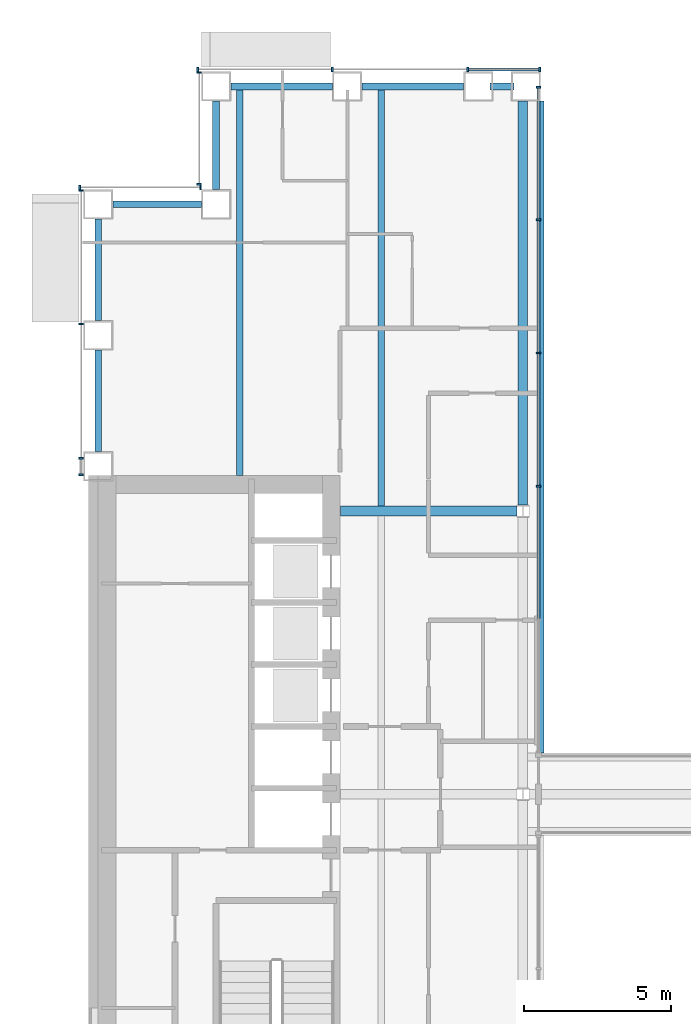
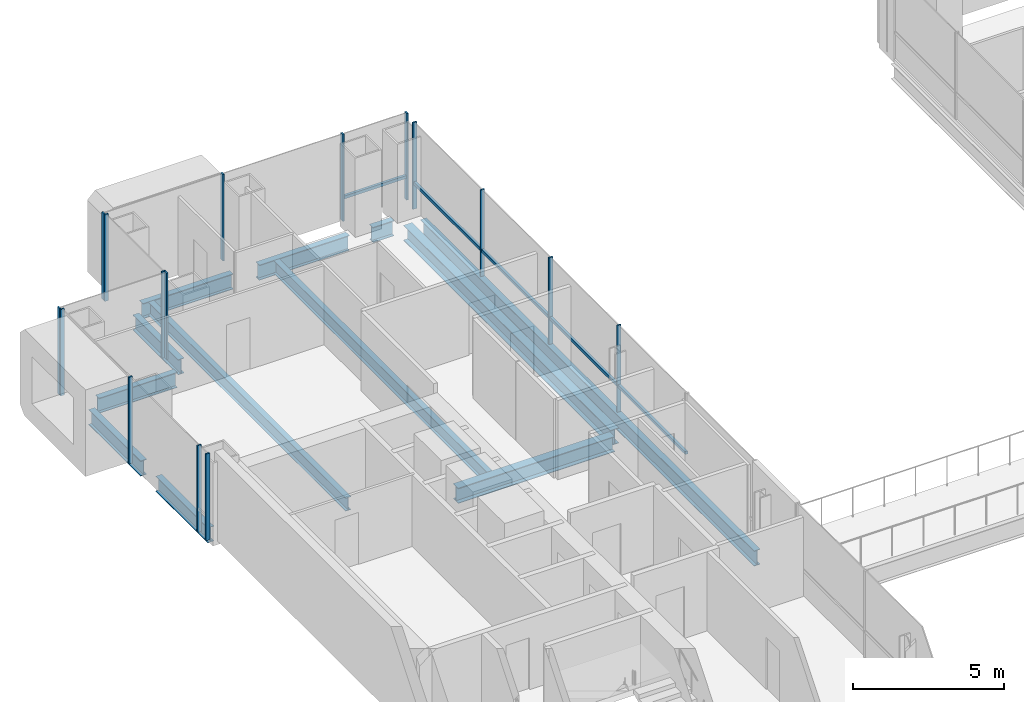
# One storey, part 6 of 21: 21 members, 12 beams, 5 elements without a shape of their own.
"""IFC4 building model written with IfcOpenShell, lengths in metres."""

from ifc_helpers import new_model, si_unit, direction, frame, origin, origin_2d, place, context, subcontext, project, spatial, rectangle, i_section, extrude, material, material_profile, profile_set, type_object, element, aggregate, save


model = new_model("IFC4")

# Units and contexts
model_context = context("Model", 3, precision=1e-05, world=origin(), true_north=direction((0.0, 1.0)))
body_context = subcontext(model_context, "Body", "Model", "MODEL_VIEW")
ifc_project = project(units=[si_unit("LENGTHUNIT", "METRE"), si_unit("AREAUNIT", "SQUARE_METRE"), si_unit("VOLUMEUNIT", "CUBIC_METRE"), si_unit("PLANEANGLEUNIT", "RADIAN"), si_unit("MASSUNIT", "GRAM", prefix="KILO")], contexts=[model_context])

# Site, building, storey
site_placement = place(None, origin())
site = spatial("IfcSite", under=ifc_project, at=site_placement, CompositionType="ELEMENT")
building_placement = place(site_placement, origin())
building = spatial("IfcBuilding", under=site, at=building_placement, Name="Cobrizo Arcos Hotel Tower", CompositionType="ELEMENT")
storey_placement = place(building_placement, frame((0.0, 0.0, 81.0)))
storey = spatial("IfcBuildingStorey", under=building, at=storey_placement, Name="L19", CompositionType="ELEMENT", Elevation=81.0)

# Curtain wall, members
ifc_material_1 = material(Name="Aluminium 6063-T6 anodised bronze", Category="aluminium")
curtain_wall_type_1 = type_object("IfcCurtainWallType", Name="CW-A guest facade", PredefinedType="NOTDEFINED", material=ifc_material_1)
curtain_wall_1_placement = place(storey_placement, origin())
curtain_wall_1 = element("IfcCurtainWall", 1, at=curtain_wall_1_placement, inside=storey, type_object=curtain_wall_type_1, Name="CW-A L19 N face", PredefinedType="NOTDEFINED")
ifc_material_profile_1 = material_profile(ifc_material_1, rectangle(XDim=0.14990234375, YDim=0.06005859375, at=origin_2d()), Name="CW-A mullion 150x60")
ifc_profile_set_1 = profile_set([ifc_material_profile_1], Name="Aluminium 6063-T6 anodised bronze")
member_type_1 = type_object("IfcMemberType", Name="CW-A mullion 150x60", PredefinedType="MULLION", material=ifc_profile_set_1)
member_1_placement = place(storey_placement, frame((-9.030029296875, 24.574951171875, 0.0), z_axis=(0.0, 0.0, 1.0), x_axis=(0.0, 1.0, 0.0)))
member_1 = element("IfcMember", 2, at=member_1_placement, type_object=member_type_1, Name="CW-A mullion 1", PredefinedType="MULLION", context=body_context, shape_type="SweptSolid", body=[
    extrude(rectangle(XDim=0.14990234375, YDim=0.06005859375, at=origin_2d()), origin(), (0.0, 0.0, 1.0), 3.5),
])
member_2_placement = place(storey_placement, frame((-11.47216796875, 24.574951171875, 0.0), z_axis=(0.0, 0.0, 1.0), x_axis=(0.0, 1.0, 0.0)))
member_2 = element("IfcMember", 3, at=member_2_placement, type_object=member_type_1, Name="CW-A mullion 2", PredefinedType="MULLION", context=body_context, shape_type="SweptSolid", body=[
    extrude(rectangle(XDim=0.14990234375, YDim=0.06005859375, at=origin_2d()), origin(), (0.0, 0.0, 1.0), 3.5),
])
member_3_placement = place(storey_placement, frame((-16.06103515625, 24.574951171875, 0.0), z_axis=(0.0, 0.0, 1.0), x_axis=(0.0, 1.0, 0.0)))
member_3 = element("IfcMember", 4, at=member_3_placement, type_object=member_type_1, Name="CW-A mullion 3", PredefinedType="MULLION", context=body_context, shape_type="SweptSolid", body=[
    extrude(rectangle(XDim=0.14990234375, YDim=0.06005859375, at=origin_2d()), origin(), (0.0, 0.0, 1.0), 3.5),
])
member_4_placement = place(storey_placement, frame((-20.6201171875, 24.574951171875, 0.0), z_axis=(0.0, 0.0, 1.0), x_axis=(0.0, 1.0, 0.0)))
member_4 = element("IfcMember", 5, at=member_4_placement, type_object=member_type_1, Name="CW-A mullion 4", PredefinedType="MULLION", context=body_context, shape_type="SweptSolid", body=[
    extrude(rectangle(XDim=0.14990234375, YDim=0.06005859375, at=origin_2d()), origin(), (0.0, 0.0, 1.0), 3.5),
])

curtain_wall_2_placement = place(storey_placement, origin())
curtain_wall_2 = element("IfcCurtainWall", 6, at=curtain_wall_2_placement, inside=storey, type_object=curtain_wall_type_1, Name="CW-A L19 W face", PredefinedType="NOTDEFINED")
member_5_placement = place(storey_placement, frame((-20.574951171875, 24.469970703125, 0.0), z_axis=(0.0, 0.0, 1.0), x_axis=(-1.0, 0.0, 0.0)))
member_5 = element("IfcMember", 7, at=member_5_placement, type_object=member_type_1, Name="CW-A mullion 1", PredefinedType="MULLION", context=body_context, shape_type="SweptSolid", body=[
    extrude(rectangle(XDim=0.14990234375, YDim=0.06005859375, at=origin_2d()), origin(), (0.0, 0.0, 1.0), 3.5),
])
member_6_placement = place(storey_placement, frame((-20.574951171875, 20.679931640625, 0.0), z_axis=(0.0, 0.0, 1.0), x_axis=(-1.0, 0.0, 0.0)))
member_6 = element("IfcMember", 8, at=member_6_placement, type_object=member_type_1, Name="CW-A mullion 2", PredefinedType="MULLION", context=body_context, shape_type="SweptSolid", body=[
    extrude(rectangle(XDim=0.14990234375, YDim=0.06005859375, at=origin_2d()), origin(), (0.0, 0.0, 1.0), 3.5),
])
aggregate(curtain_wall_2, [member_5, member_6])

curtain_wall_3_placement = place(storey_placement, origin())
curtain_wall_3 = element("IfcCurtainWall", 9, at=curtain_wall_3_placement, inside=storey, type_object=curtain_wall_type_1, Name="CW-A L19 N face", PredefinedType="NOTDEFINED")
member_7_placement = place(storey_placement, frame((-20.530029296875, 20.574951171875, 0.0), z_axis=(0.0, 0.0, 1.0), x_axis=(0.0, 1.0, 0.0)))
member_7 = element("IfcMember", 10, at=member_7_placement, type_object=member_type_1, Name="CW-A mullion 1", PredefinedType="MULLION", context=body_context, shape_type="SweptSolid", body=[
    extrude(rectangle(XDim=0.14990234375, YDim=0.06005859375, at=origin_2d()), origin(), (0.0, 0.0, 1.0), 3.5),
])
member_8_placement = place(storey_placement, frame((-24.6201171875, 20.574951171875, 0.0), z_axis=(0.0, 0.0, 1.0), x_axis=(0.0, 1.0, 0.0)))
member_8 = element("IfcMember", 11, at=member_8_placement, type_object=member_type_1, Name="CW-A mullion 2", PredefinedType="MULLION", context=body_context, shape_type="SweptSolid", body=[
    extrude(rectangle(XDim=0.14990234375, YDim=0.06005859375, at=origin_2d()), origin(), (0.0, 0.0, 1.0), 3.5),
])
aggregate(curtain_wall_3, [member_7, member_8])

curtain_wall_4_placement = place(storey_placement, origin())
curtain_wall_4 = element("IfcCurtainWall", 12, at=curtain_wall_4_placement, inside=storey, type_object=curtain_wall_type_1, Name="CW-A L19 W face", PredefinedType="NOTDEFINED")
member_9_placement = place(storey_placement, frame((-24.574951171875, 20.469970703125, 0.0), z_axis=(0.0, 0.0, 1.0), x_axis=(-1.0, 0.0, 0.0)))
member_9 = element("IfcMember", 13, at=member_9_placement, type_object=member_type_1, Name="CW-A mullion 1", PredefinedType="MULLION", context=body_context, shape_type="SweptSolid", body=[
    extrude(rectangle(XDim=0.14990234375, YDim=0.06005859375, at=origin_2d()), origin(), (0.0, 0.0, 1.0), 3.5),
])
member_10_placement = place(storey_placement, frame((-24.574951171875, 15.9443359375, 0.0), z_axis=(0.0, 0.0, 1.0), x_axis=(-1.0, 0.0, 0.0)))
member_10 = element("IfcMember", 14, at=member_10_placement, type_object=member_type_1, Name="CW-A mullion 2", PredefinedType="MULLION", context=body_context, shape_type="SweptSolid", body=[
    extrude(rectangle(XDim=0.14990234375, YDim=0.06005859375, at=origin_2d()), origin(), (0.0, 0.0, 1.0), 3.5),
])
member_11_placement = place(storey_placement, frame((-24.574951171875, 11.388916015625, 0.0), z_axis=(0.0, 0.0, 1.0), x_axis=(-1.0, 0.0, 0.0)))
member_11 = element("IfcMember", 15, at=member_11_placement, type_object=member_type_1, Name="CW-A mullion 3", PredefinedType="MULLION", context=body_context, shape_type="SweptSolid", body=[
    extrude(rectangle(XDim=0.14990234375, YDim=0.06005859375, at=origin_2d()), origin(), (0.0, 0.0, 1.0), 3.5),
])
member_12_placement = place(storey_placement, frame((-24.574951171875, 10.830078125, 0.0), z_axis=(0.0, 0.0, 1.0), x_axis=(-1.0, 0.0, 0.0)))
member_12 = element("IfcMember", 16, at=member_12_placement, type_object=member_type_1, Name="CW-A mullion 4", PredefinedType="MULLION", context=body_context, shape_type="SweptSolid", body=[
    extrude(rectangle(XDim=0.14990234375, YDim=0.06005859375, at=origin_2d()), origin(), (0.0, 0.0, 1.0), 3.5),
])
aggregate(curtain_wall_4, [member_9, member_10, member_11, member_12])

# Member
ifc_material_profile_2 = material_profile(ifc_material_1, rectangle(XDim=0.10009765625, YDim=0.1201171875, at=origin_2d()), Name="CW-A transom 120x100")
ifc_profile_set_2 = profile_set([ifc_material_profile_2], Name="Aluminium 6063-T6 anodised bronze")
member_type_2 = type_object("IfcMemberType", Name="CW-A transom 120x100", PredefinedType="USERDEFINED", material=ifc_profile_set_2)
member_13_placement = place(storey_placement, frame((-9.06005859375, 24.574951171875, 0.929931640625), z_axis=(-1.0, 0.0, 0.0), x_axis=(0.0, -1.0, 0.0)))
member_13 = element("IfcMember", 17, at=member_13_placement, type_object=member_type_2, Name="CW-A transom 800", ObjectType="TRANSOM", PredefinedType="USERDEFINED", context=body_context, shape_type="SweptSolid", body=[
    extrude(rectangle(XDim=0.10009765625, YDim=0.1201171875, at=origin_2d()), origin(), (0.0, 0.0, 1.0), 2.382080078125),
])

aggregate(curtain_wall_1, [member_1, member_2, member_3, member_4, member_13])

# Curtain wall, members
curtain_wall_type_2 = type_object("IfcCurtainWallType", Name="CW-F void screen", PredefinedType="NOTDEFINED", material=ifc_material_1)
curtain_wall_5_placement = place(storey_placement, origin())
curtain_wall_5 = element("IfcCurtainWall", 18, at=curtain_wall_5_placement, inside=storey, type_object=curtain_wall_type_2, Name="CW-F L19 void screen A", PredefinedType="NOTDEFINED")
ifc_material_profile_3 = material_profile(ifc_material_1, rectangle(XDim=0.14990234375, YDim=0.06005859375, at=origin_2d()), Name="CW-F mullion 150x60")
ifc_profile_set_3 = profile_set([ifc_material_profile_3], Name="Aluminium 6063-T6 anodised bronze")
member_type_3 = type_object("IfcMemberType", Name="CW-F mullion 150x60", PredefinedType="MULLION", material=ifc_profile_set_3)
member_14_placement = place(storey_placement, frame((-9.074951171875, 23.969970703125, 0.0), z_axis=(0.0, 0.0, 1.0), x_axis=(-1.0, 0.0, 0.0)))
member_14 = element("IfcMember", 19, at=member_14_placement, type_object=member_type_3, Name="CW-F mullion 1", PredefinedType="MULLION", context=body_context, shape_type="SweptSolid", body=[
    extrude(rectangle(XDim=0.14990234375, YDim=0.06005859375, at=origin_2d()), origin(), (0.0, 0.0, 1.0), 3.5),
])
member_15_placement = place(storey_placement, frame((-9.074951171875, 19.47998046875, 0.0), z_axis=(0.0, 0.0, 1.0), x_axis=(-1.0, 0.0, 0.0)))
member_15 = element("IfcMember", 20, at=member_15_placement, type_object=member_type_3, Name="CW-F mullion 2", PredefinedType="MULLION", context=body_context, shape_type="SweptSolid", body=[
    extrude(rectangle(XDim=0.14990234375, YDim=0.06005859375, at=origin_2d()), origin(), (0.0, 0.0, 1.0), 3.5),
])
member_16_placement = place(storey_placement, frame((-9.074951171875, 14.9599609375, 0.0), z_axis=(0.0, 0.0, 1.0), x_axis=(-1.0, 0.0, 0.0)))
member_16 = element("IfcMember", 21, at=member_16_placement, type_object=member_type_3, Name="CW-F mullion 3", PredefinedType="MULLION", context=body_context, shape_type="SweptSolid", body=[
    extrude(rectangle(XDim=0.14990234375, YDim=0.06005859375, at=origin_2d()), origin(), (0.0, 0.0, 1.0), 3.5),
])
member_17_placement = place(storey_placement, frame((-9.074951171875, 10.43994140625, 0.0), z_axis=(0.0, 0.0, 1.0), x_axis=(-1.0, 0.0, 0.0)))
member_17 = element("IfcMember", 22, at=member_17_placement, type_object=member_type_3, Name="CW-F mullion 4", PredefinedType="MULLION", context=body_context, shape_type="SweptSolid", body=[
    extrude(rectangle(XDim=0.14990234375, YDim=0.06005859375, at=origin_2d()), origin(), (0.0, 0.0, 1.0), 3.5),
])
ifc_material_profile_4 = material_profile(ifc_material_1, rectangle(XDim=0.10009765625, YDim=0.1201171875, at=origin_2d()), Name="CW-F transom 120x100")
ifc_profile_set_4 = profile_set([ifc_material_profile_4], Name="Aluminium 6063-T6 anodised bronze")
member_type_4 = type_object("IfcMemberType", Name="CW-F transom 120x100", PredefinedType="USERDEFINED", material=ifc_profile_set_4)
member_18_placement = place(storey_placement, frame((-9.074951171875, 23.93994140625, 1.050048828125), z_axis=(0.0, -1.0, 0.0), x_axis=(1.0, 0.0, 0.0)))
member_18 = element("IfcMember", 23, at=member_18_placement, type_object=member_type_4, Name="CW-F transom 2558", ObjectType="TRANSOM", PredefinedType="USERDEFINED", context=body_context, shape_type="SweptSolid", body=[
    extrude(rectangle(XDim=0.10009765625, YDim=0.1201171875, at=origin_2d()), origin(), (0.0, 0.0, 1.0), 4.429931640625),
])
member_19_placement = place(storey_placement, frame((-9.074951171875, 19.449951171875, 1.050048828125), z_axis=(0.0, -1.0, 0.0), x_axis=(1.0, 0.0, 0.0)))
member_19 = element("IfcMember", 24, at=member_19_placement, type_object=member_type_4, Name="CW-F transom 2559", ObjectType="TRANSOM", PredefinedType="USERDEFINED", context=body_context, shape_type="SweptSolid", body=[
    extrude(rectangle(XDim=0.10009765625, YDim=0.1201171875, at=origin_2d()), origin(), (0.0, 0.0, 1.0), 4.4599609375),
])
member_20_placement = place(storey_placement, frame((-9.074951171875, 14.929931640625, 1.050048828125), z_axis=(0.0, -1.0, 0.0), x_axis=(1.0, 0.0, 0.0)))
member_20 = element("IfcMember", 25, at=member_20_placement, type_object=member_type_4, Name="CW-F transom 2560", ObjectType="TRANSOM", PredefinedType="USERDEFINED", context=body_context, shape_type="SweptSolid", body=[
    extrude(rectangle(XDim=0.10009765625, YDim=0.1201171875, at=origin_2d()), origin(), (0.0, 0.0, 1.0), 4.4599609375),
])
member_21_placement = place(storey_placement, frame((-9.074951171875, 10.409912109375, 1.050048828125), z_axis=(0.0, -1.0, 0.0), x_axis=(1.0, 0.0, 0.0)))
member_21 = element("IfcMember", 26, at=member_21_placement, type_object=member_type_4, Name="CW-F transom 2561", ObjectType="TRANSOM", PredefinedType="USERDEFINED", context=body_context, shape_type="SweptSolid", body=[
    extrude(rectangle(XDim=0.10009765625, YDim=0.1201171875, at=origin_2d()), origin(), (0.0, 0.0, 1.0), 4.4599609375),
])
aggregate(curtain_wall_5, [member_14, member_15, member_16, member_17, member_18, member_19, member_20, member_21])

# Beams
ifc_material_2 = material(Name="Steel ASTM A992 Grade 50", Category="steel")
ifc_material_profile_5 = material_profile(ifc_material_2, i_section(OverallWidth=0.209228515625, OverallDepth=0.533447265625, WebThickness=0.01025390625, FlangeThickness=0.015625, at=origin_2d()), Name="W21X62")
ifc_profile_set_5 = profile_set([ifc_material_profile_5], Name="Steel ASTM A992 Grade 50")
beam_type_1 = type_object("IfcBeamType", Name="W21X62 joist", PredefinedType="JOIST", material=ifc_profile_set_5)
beam_1_placement = place(storey_placement, frame((-19.199951171875, 10.81005859375, -0.416748046875), z_axis=(0.0, 1.0, 0.0), x_axis=(-1.0, 0.0, 0.0)))
element("IfcBeam", 27, at=beam_1_placement, inside=storey, type_object=beam_type_1, Name="Floor joist J1, L19, no. 002", PredefinedType="JOIST", context=body_context, shape_type="SweptSolid", body=[
    extrude(i_section(OverallWidth=0.209228515625, OverallDepth=0.533447265625, WebThickness=0.01025390625, FlangeThickness=0.015625, at=origin_2d()), origin(), (0.0, 0.0, 1.0), 13.099853515625),
])
beam_2_placement = place(storey_placement, frame((-14.39990234375, 9.763916015625, -0.416748046875), z_axis=(0.0, 1.0, 0.0), x_axis=(-1.0, 0.0, 0.0)))
element("IfcBeam", 28, at=beam_2_placement, inside=storey, type_object=beam_type_1, Name="Floor joist J1, L19, no. 006", PredefinedType="JOIST", context=body_context, shape_type="SweptSolid", body=[
    extrude(i_section(OverallWidth=0.209228515625, OverallDepth=0.533447265625, WebThickness=0.01025390625, FlangeThickness=0.015625, at=origin_2d()), origin(), (0.0, 0.0, 1.0), 14.14599609375),
])
ifc_material_profile_6 = material_profile(ifc_material_2, i_section(OverallWidth=0.32763671875, OverallDepth=0.622314453125, WebThickness=0.015380859375, FlangeThickness=0.0244140625, at=origin_2d()), Name="W24X131")
ifc_profile_set_6 = profile_set([ifc_material_profile_6], Name="Steel ASTM A992 Grade 50")
beam_type_2 = type_object("IfcBeamType", Name="W24X131 girder", PredefinedType="BEAM", material=ifc_profile_set_6)
beam_3_placement = place(storey_placement, frame((-15.7900390625, 9.60009765625, -0.461181640625), z_axis=(1.0, 0.0, 0.0), x_axis=(0.0, 1.0, 0.0)))
element("IfcBeam", 29, at=beam_3_placement, inside=storey, type_object=beam_type_2, Name="Floor girder G1, L19, no. 006", PredefinedType="BEAM", context=body_context, shape_type="SweptSolid", body=[
    extrude(i_section(OverallWidth=0.32763671875, OverallDepth=0.622314453125, WebThickness=0.015380859375, FlangeThickness=0.0244140625, at=origin_2d()), origin(), (0.0, 0.0, 1.0), 5.985595703125),
])
beam_4_placement = place(storey_placement, frame((-9.60009765625, 9.804443359375, -0.461181640625), z_axis=(0.0, 1.0, 0.0), x_axis=(-1.0, 0.0, 0.0)))
element("IfcBeam", 30, at=beam_4_placement, inside=storey, type_object=beam_type_2, Name="Floor girder G1, L19, no. 011", PredefinedType="BEAM", context=body_context, shape_type="SweptSolid", body=[
    extrude(i_section(OverallWidth=0.32763671875, OverallDepth=0.622314453125, WebThickness=0.015380859375, FlangeThickness=0.0244140625, at=origin_2d()), origin(), (0.0, 0.0, 1.0), 13.695556640625),
])
ifc_material_profile_7 = material_profile(ifc_material_2, i_section(OverallWidth=0.23046875, OverallDepth=0.6171875, WebThickness=0.01318359375, FlangeThickness=0.022216796875, at=origin_2d()), Name="W24X94")
ifc_profile_set_7 = profile_set([ifc_material_profile_7], Name="Steel ASTM A992 Grade 50")
beam_type_3 = type_object("IfcBeamType", Name="W24X94 spandrel", PredefinedType="SPANDREL", material=ifc_profile_set_7)
beam_5_placement = place(storey_placement, frame((-24.0, 11.611083984375, -0.45849609375), z_axis=(0.0, 1.0, 0.0), x_axis=(-1.0, 0.0, 0.0)))
element("IfcBeam", 31, at=beam_5_placement, inside=storey, type_object=beam_type_3, Name="Spandrel beam W24X94, L19, no. 020", PredefinedType="SPANDREL", context=body_context, shape_type="SweptSolid", body=[
    extrude(i_section(OverallWidth=0.23046875, OverallDepth=0.6171875, WebThickness=0.01318359375, FlangeThickness=0.022216796875, at=origin_2d()), origin(), (0.0, 0.0, 1.0), 3.44482421875),
])
beam_6_placement = place(storey_placement, frame((-24.0, 16.055908203125, -0.45849609375), z_axis=(0.0, 1.0, 0.0), x_axis=(-1.0, 0.0, 0.0)))
element("IfcBeam", 32, at=beam_6_placement, inside=storey, type_object=beam_type_3, Name="Spandrel beam W24X94, L19, no. 021", PredefinedType="SPANDREL", context=body_context, shape_type="SweptSolid", body=[
    extrude(i_section(OverallWidth=0.23046875, OverallDepth=0.6171875, WebThickness=0.01318359375, FlangeThickness=0.022216796875, at=origin_2d()), origin(), (0.0, 0.0, 1.0), 3.444091796875),
])
for number, where, z_axis, x_axis, name in (
    (33, (-23.5, 20.0, -0.45849609375), (1.0, 0.0, 0.0), (0.0, 1.0, 0.0), "Spandrel beam W24X94, L19, no. 022"),
    (34, (-20.0, 20.5, -0.45849609375), (0.0, 1.0, 0.0), (-1.0, 0.0, 0.0), "Spandrel beam W24X94, L19, no. 023"),
):
    element("IfcBeam", number, at=place(storey_placement, frame(where, z_axis=z_axis, x_axis=x_axis)), inside=storey, type_object=beam_type_3, Name=name, PredefinedType="SPANDREL", context=body_context, shape_type="SweptSolid", body=[
        extrude(i_section(OverallWidth=0.23046875, OverallDepth=0.6171875, WebThickness=0.01318359375, FlangeThickness=0.022216796875, at=origin_2d()), origin(), (0.0, 0.0, 1.0), 3.0),
    ])
beam_7_placement = place(storey_placement, frame((-19.5, 24.0, -0.45849609375), z_axis=(1.0, 0.0, 0.0), x_axis=(0.0, 1.0, 0.0)))
element("IfcBeam", 35, at=beam_7_placement, inside=storey, type_object=beam_type_3, Name="Spandrel beam W24X94, L19, no. 024", PredefinedType="SPANDREL", context=body_context, shape_type="SweptSolid", body=[
    extrude(i_section(OverallWidth=0.23046875, OverallDepth=0.6171875, WebThickness=0.01318359375, FlangeThickness=0.022216796875, at=origin_2d()), origin(), (0.0, 0.0, 1.0), 3.444091796875),
])
beam_8_placement = place(storey_placement, frame((-15.055908203125, 24.0, -0.45849609375), z_axis=(1.0, 0.0, 0.0), x_axis=(0.0, 1.0, 0.0)))
element("IfcBeam", 36, at=beam_8_placement, inside=storey, type_object=beam_type_3, Name="Spandrel beam W24X94, L19, no. 025", PredefinedType="SPANDREL", context=body_context, shape_type="SweptSolid", body=[
    extrude(i_section(OverallWidth=0.23046875, OverallDepth=0.6171875, WebThickness=0.01318359375, FlangeThickness=0.022216796875, at=origin_2d()), origin(), (0.0, 0.0, 1.0), 3.44482421875),
])
beam_9_placement = place(storey_placement, frame((-10.7109375, 24.0, -0.45849609375), z_axis=(1.0, 0.0, 0.0), x_axis=(0.0, 1.0, 0.0)))
element("IfcBeam", 37, at=beam_9_placement, inside=storey, type_object=beam_type_3, Name="Spandrel beam W24X94, L19, no. 026", PredefinedType="SPANDREL", context=body_context, shape_type="SweptSolid", body=[
    extrude(i_section(OverallWidth=0.23046875, OverallDepth=0.6171875, WebThickness=0.01318359375, FlangeThickness=0.022216796875, at=origin_2d()), origin(), (0.0, 0.0, 1.0), 0.81103515625),
])
beam_10_placement = place(storey_placement, frame((-9.0, 23.5, -0.45849609375), z_axis=(0.0, -1.0, 0.0), x_axis=(1.0, 0.0, 0.0)))
element("IfcBeam", 38, at=beam_10_placement, inside=storey, type_object=beam_type_3, Name="Spandrel beam W24X94, L19, no. 027", PredefinedType="SPANDREL", context=body_context, shape_type="SweptSolid", body=[
    extrude(i_section(OverallWidth=0.23046875, OverallDepth=0.6171875, WebThickness=0.01318359375, FlangeThickness=0.022216796875, at=origin_2d()), origin(), (0.0, 0.0, 1.0), 22.10009765625),
])

save(model, "model.ifc")
